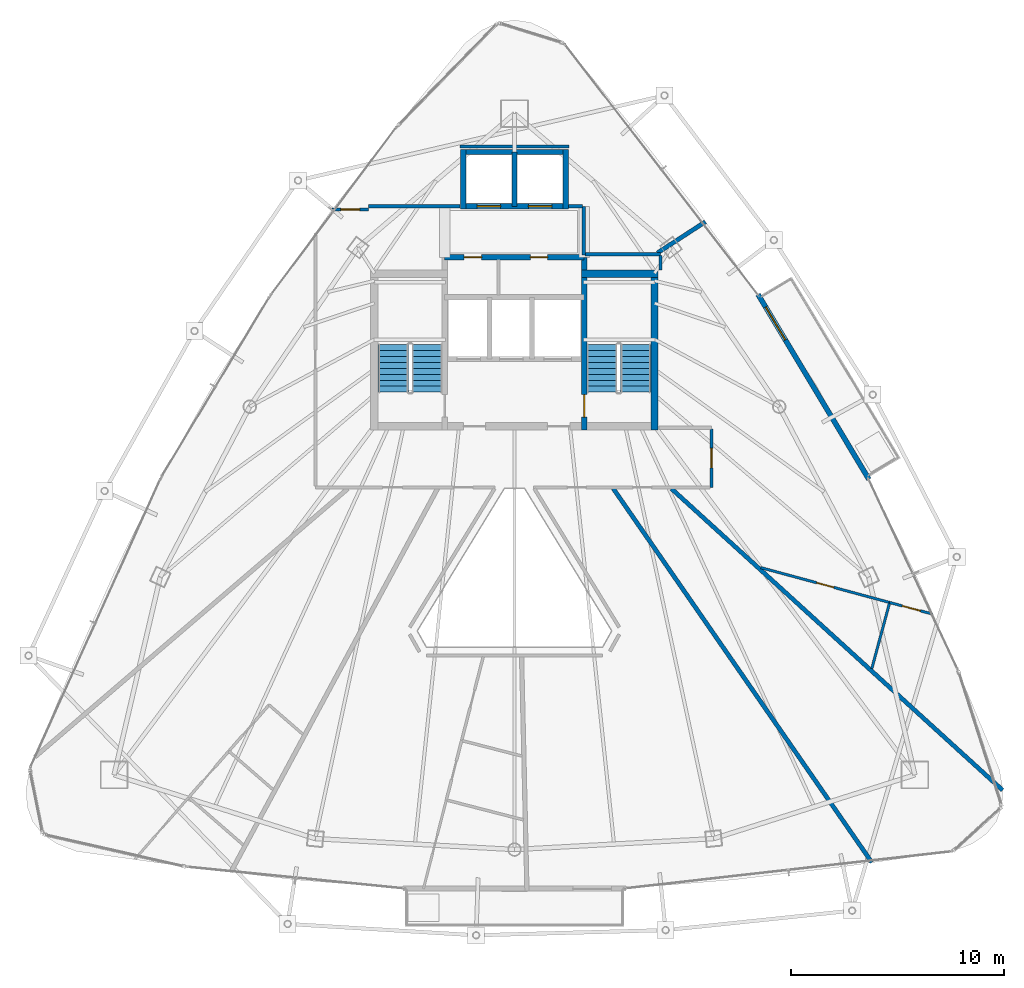
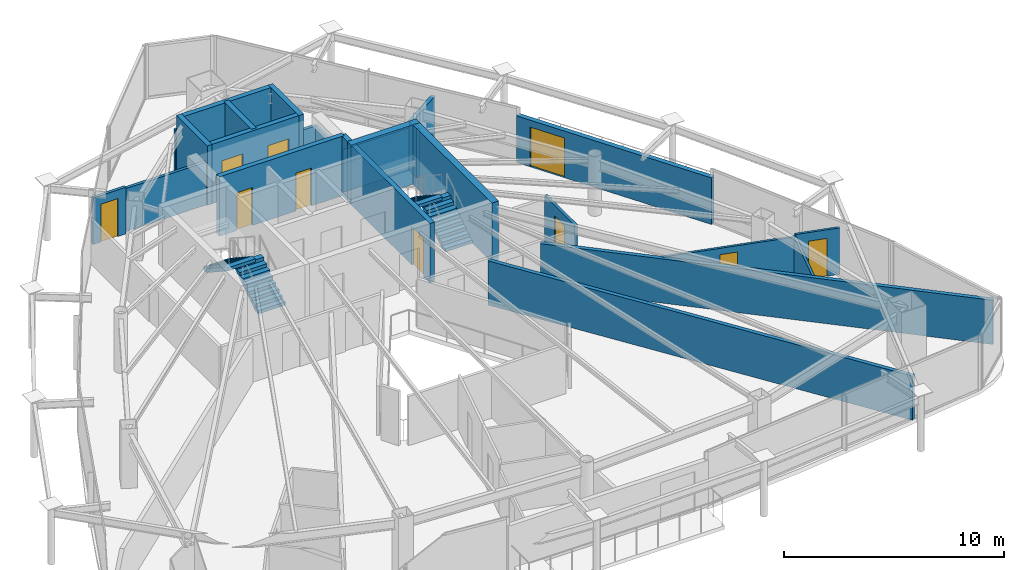
# One storey, part 27 of 30: 24 walls, 10 doors, 4 stair flights, 10 openings, 2 elements without a shape of their own.
"""IFC4 building model written with IfcOpenShell, lengths in metres."""

from ifc_helpers import new_model, si_unit, direction, frame, frame_2d, origin, place, context, subcontext, project, spatial, polyline, rectangle, outline, extrude, material, layer, layer_set, type_object, element, fill, aggregate, save


model = new_model("IFC4")

# Units and contexts
model_context = context("Model", 3, precision=1e-05, world=origin(), true_north=direction((0.0, 1.0)))
body_context = subcontext(model_context, "Body", "Model", "MODEL_VIEW")
ifc_project = project(units=[si_unit("LENGTHUNIT", "METRE"), si_unit("AREAUNIT", "SQUARE_METRE"), si_unit("VOLUMEUNIT", "CUBIC_METRE"), si_unit("PLANEANGLEUNIT", "RADIAN"), si_unit("MASSUNIT", "GRAM", prefix="KILO")], contexts=[model_context])

# Site, building, storey
site_placement = place(None, origin())
site = spatial("IfcSite", under=ifc_project, at=site_placement, CompositionType="ELEMENT")
building_placement = place(site_placement, origin())
building = spatial("IfcBuilding", under=site, at=building_placement, Name="Orvanel Arch Residences", CompositionType="ELEMENT")
storey_placement = place(building_placement, frame((0.0, 0.0, 232.699951171875)))
storey = spatial("IfcBuildingStorey", under=building, at=storey_placement, Name="L66", CompositionType="ELEMENT", Elevation=232.699951171875)

# Wall, opening, door
ifc_material_1 = material(Name="Precast concrete N50 (50 MPa)", Category="concrete")
ifc_layer_1 = layer(ifc_material_1, 0.239990234375)
ifc_layer_set_1 = layer_set([ifc_layer_1], Name="Precast concrete N50 (50 MPa)")
wall_type_1 = type_object("IfcWallType", Name="EW-BAL-240", PredefinedType="SOLIDWALL", material=ifc_layer_set_1)
wall_1_placement = place(storey_placement, frame((49.64794921875, 24.22412109375, 0.0), z_axis=(0.0, 0.0, 1.0), x_axis=(-0.514346935205, 0.857582200285, 0.0)))
wall_1 = element("IfcWall", 1, at=wall_1_placement, inside=storey, type_object=wall_type_1, Name="L66 Balcony Threshold Wall Face 3", PredefinedType="SOLIDWALL", context=body_context, shape_type="SweptSolid", body=[
    extrude(rectangle(XDim=10.133056640625, YDim=0.239990234375, at=frame_2d((5.06640625, 0.0))), origin(), (0.0, 0.0, 1.0), 2.583984375),
])
opening_1_placement = place(wall_1_placement, frame((7.635009765625, 0.0, 0.0)))
opening_1 = element("IfcOpeningElement", 2, at=opening_1_placement, cuts=wall_1, Name="Opening DB-180", PredefinedType="OPENING", context=body_context, shape_type="SweptSolid", body=[
    extrude(rectangle(XDim=1.800048828125, YDim=2.199951171875, at=frame_2d((0.89990234375, 1.10009765625))), frame((0.0, 0.1298828125, 0.0), z_axis=(0.0, -1.0, 0.0), x_axis=(1.0, 0.0, 0.0)), (0.0, 0.0, 1.0), 0.260009765625),
])
ifc_material_2 = material(Name="Bronze-anodised aluminium AA6063-T6", Category="aluminium")
door_type_1 = type_object("IfcDoorType", Name="DR-BAL-1800", OperationType="NOTDEFINED", PredefinedType="DOOR", material=ifc_material_2)
door_1_placement = place(opening_1_placement, origin())
door_1 = element("IfcDoor", 3, at=door_1_placement, inside=storey, type_object=door_type_1, Name="DR-L66-BAL-F3 L66 Planted Balcony Access Door Face 3", OperationType="SINGLE_SWING_LEFT", OverallHeight=2.199951171875, OverallWidth=1.800048828125, PredefinedType="DOOR", context=body_context, shape_type="SweptSolid", body=[
    extrude(rectangle(XDim=1.800048828125, YDim=2.199951171875, at=frame_2d((0.89990234375, 1.10009765625))), frame((0.0, 0.02490234375, 0.0), z_axis=(0.0, -1.0, 0.0), x_axis=(1.0, 0.0, 0.0)), (0.0, 0.0, 1.0), 0.050048828125),
])
fill(opening_1, door_1)

ifc_material_3 = material(Name="Concrete N50 (50 MPa)", Category="concrete")
ifc_layer_2 = layer(ifc_material_3, 0.25)
ifc_layer_set_2 = layer_set([ifc_layer_2], Name="Concrete N50 (50 MPa)")
wall_type_2 = type_object("IfcWallType", Name="SW-CORE-250", PredefinedType="SHEAR", material=ifc_layer_set_2)
wall_2_placement = place(storey_placement, frame((36.27490234375, 26.550048828125, 0.0), z_axis=(0.0, 0.0, 1.0), x_axis=(0.0, 1.0, 0.0)))
wall_2 = element("IfcWall", 4, at=wall_2_placement, inside=storey, type_object=wall_type_2, Name="L66 East Inner Core Spine Shear Wall", PredefinedType="SHEAR", context=body_context, shape_type="SweptSolid", body=[
    extrude(rectangle(XDim=8.099853515625, YDim=0.25, at=frame_2d((4.0498046875, 0.0))), origin(), (0.0, 0.0, 1.0), 3.300048828125),
])
opening_2_placement = place(wall_2_placement, frame((0.60009765625, 0.0, 0.0)))
opening_2 = element("IfcOpeningElement", 5, at=opening_2_placement, cuts=wall_2, Name="Opening DF-120", PredefinedType="OPENING", context=body_context, shape_type="SweptSolid", body=[
    extrude(rectangle(XDim=1.050048828125, YDim=2.14990234375, at=frame_2d((0.52490234375, 1.074951171875))), frame((0.0, 0.135009765625, 0.0), z_axis=(0.0, -1.0, 0.0), x_axis=(1.0, 0.0, 0.0)), (0.0, 0.0, 1.0), 0.27001953125),
])
ifc_material_4 = material(Name="Galvanised steel fire-resisting door assembly", Category="steel")
door_type_2 = type_object("IfcDoorType", Name="DR-FD120-1050", OperationType="NOTDEFINED", PredefinedType="DOOR", material=ifc_material_4)
door_2_placement = place(opening_2_placement, origin())
door_2 = element("IfcDoor", 6, at=door_2_placement, inside=storey, type_object=door_type_2, Name="DR-L66-ST2 L66 Stair 2 Fire Door", OperationType="SINGLE_SWING_RIGHT", OverallHeight=2.14990234375, OverallWidth=1.050048828125, PredefinedType="DOOR", context=body_context, shape_type="SweptSolid", body=[
    extrude(rectangle(XDim=1.050048828125, YDim=2.14990234375, at=frame_2d((0.52490234375, 1.074951171875))), frame((0.0, 0.02490234375, 0.0), z_axis=(0.0, -1.0, 0.0), x_axis=(1.0, 0.0, 0.0)), (0.0, 0.0, 1.0), 0.050048828125),
])
fill(opening_2, door_2)

# Wall, openings, doors
wall_3_placement = place(storey_placement, frame((29.72509765625, 34.64990234375, 0.0), z_axis=(0.0, 0.0, 1.0), x_axis=(1.0, 0.0, 0.0)))
wall_3 = element("IfcWall", 7, at=wall_3_placement, inside=storey, type_object=wall_type_2, Name="L66 Core Service Band North Shear Wall", PredefinedType="SHEAR", context=body_context, shape_type="SweptSolid", body=[
    extrude(rectangle(XDim=6.5498046875, YDim=0.25, at=frame_2d((3.27490234375, 0.0))), origin(), (0.0, 0.0, 1.0), 3.300048828125),
])
opening_3_placement = place(wall_3_placement, frame((0.9150390625, 0.0, 0.0)))
opening_3 = element("IfcOpeningElement", 8, at=opening_3_placement, cuts=wall_3, Name="Opening DS-082", PredefinedType="OPENING", context=body_context, shape_type="SweptSolid", body=[
    extrude(rectangle(XDim=0.820068359375, YDim=2.10009765625, at=frame_2d((0.41015625, 1.050048828125))), frame((0.0, 0.135009765625, 0.0), z_axis=(0.0, -1.0, 0.0), x_axis=(1.0, 0.0, 0.0)), (0.0, 0.0, 1.0), 0.27001953125),
])
opening_4_placement = place(wall_3_placement, frame((4.014892578125, 0.0, 0.0)))
opening_4 = element("IfcOpeningElement", 9, at=opening_4_placement, cuts=wall_3, Name="Opening DW-082", PredefinedType="OPENING", context=body_context, shape_type="SweptSolid", body=[
    extrude(rectangle(XDim=0.820068359375, YDim=2.10009765625, at=frame_2d((0.41015625, 1.050048828125))), frame((0.0, 0.135009765625, 0.0), z_axis=(0.0, -1.0, 0.0), x_axis=(1.0, 0.0, 0.0)), (0.0, 0.0, 1.0), 0.27001953125),
])
door_type_3 = type_object("IfcDoorType", Name="DR-SVC-820", OperationType="NOTDEFINED", PredefinedType="DOOR", material=ifc_material_4)
door_3_placement = place(opening_3_placement, origin())
door_3 = element("IfcDoor", 10, at=door_3_placement, inside=storey, type_object=door_type_3, Name="DR-L66-CSVC-1 L66 Floor Cleaner's Store Door", OperationType="SINGLE_SWING_LEFT", OverallHeight=2.10009765625, OverallWidth=0.820068359375, PredefinedType="DOOR", context=body_context, shape_type="SweptSolid", body=[
    extrude(rectangle(XDim=0.820068359375, YDim=2.10009765625, at=frame_2d((0.41015625, 1.050048828125))), frame((0.0, 0.02490234375, 0.0), z_axis=(0.0, -1.0, 0.0), x_axis=(1.0, 0.0, 0.0)), (0.0, 0.0, 1.0), 0.050048828125),
])
fill(opening_3, door_3)
ifc_material_5 = material(Name="Solid-core European oak veneer fire door leaf", Category="wood")
door_type_4 = type_object("IfcDoorType", Name="DR-WET-820", OperationType="NOTDEFINED", PredefinedType="DOOR", material=ifc_material_5)
door_4_placement = place(opening_4_placement, origin())
door_4 = element("IfcDoor", 11, at=door_4_placement, inside=storey, type_object=door_type_4, Name="DR-L66-CSVC-2 L66 Core Accessible WC Door", OperationType="SINGLE_SWING_LEFT", OverallHeight=2.10009765625, OverallWidth=0.820068359375, PredefinedType="DOOR", context=body_context, shape_type="SweptSolid", body=[
    extrude(rectangle(XDim=0.820068359375, YDim=2.10009765625, at=frame_2d((0.41015625, 1.050048828125))), frame((0.0, 0.02490234375, 0.0), z_axis=(0.0, -1.0, 0.0), x_axis=(1.0, 0.0, 0.0)), (0.0, 0.0, 1.0), 0.050048828125),
])
fill(opening_4, door_4)

wall_4_placement = place(storey_placement, frame((35.52490234375, 37.050048828125, 0.0), z_axis=(0.0, 0.0, 1.0), x_axis=(-1.0, 0.0, 0.0)))
wall_4 = element("IfcWall", 12, at=wall_4_placement, inside=storey, type_object=wall_type_2, Name="L66 Passenger Lift Bank Front Shear Wall", PredefinedType="SHEAR", context=body_context, shape_type="SweptSolid", body=[
    extrude(rectangle(XDim=5.0498046875, YDim=0.25, at=frame_2d((2.52490234375, 0.0))), origin(), (0.0, 0.0, 1.0), 3.300048828125),
])
opening_5_placement = place(wall_4_placement, frame((3.175048828125, 0.0, 0.0)))
opening_5 = element("IfcOpeningElement", 13, at=opening_5_placement, cuts=wall_4, Name="Opening LD-110", PredefinedType="OPENING", context=body_context, shape_type="SweptSolid", body=[
    extrude(rectangle(XDim=1.10009765625, YDim=2.199951171875, at=frame_2d((0.550048828125, 1.10009765625))), frame((0.0, 0.135009765625, 0.0), z_axis=(0.0, -1.0, 0.0), x_axis=(1.0, 0.0, 0.0)), (0.0, 0.0, 1.0), 0.27001953125),
])
opening_6_placement = place(wall_4_placement, frame((0.77490234375, 0.0, 0.0)))
opening_6 = element("IfcOpeningElement", 14, at=opening_6_placement, cuts=wall_4, Name="Opening LD-110", PredefinedType="OPENING", context=body_context, shape_type="SweptSolid", body=[
    extrude(rectangle(XDim=1.10009765625, YDim=2.199951171875, at=frame_2d((0.550048828125, 1.10009765625))), frame((0.0, 0.135009765625, 0.0), z_axis=(0.0, -1.0, 0.0), x_axis=(1.0, 0.0, 0.0)), (0.0, 0.0, 1.0), 0.27001953125),
])
door_type_5 = type_object("IfcDoorType", Name="DR-LFT-1100", OperationType="NOTDEFINED", PredefinedType="DOOR", material=ifc_material_4)
door_5_placement = place(opening_5_placement, origin())
door_5 = element("IfcDoor", 15, at=door_5_placement, inside=storey, type_object=door_type_5, Name="LD-P5-L66 L66 Passenger Lift P5 Sliding Landing Door", OperationType="DOUBLE_DOOR_SLIDING", OverallHeight=2.199951171875, OverallWidth=1.10009765625, PredefinedType="DOOR", context=body_context, shape_type="SweptSolid", body=[
    extrude(rectangle(XDim=1.10009765625, YDim=2.199951171875, at=frame_2d((0.550048828125, 1.10009765625))), frame((0.0, 0.02490234375, 0.0), z_axis=(0.0, -1.0, 0.0), x_axis=(1.0, 0.0, 0.0)), (0.0, 0.0, 1.0), 0.050048828125),
])
fill(opening_5, door_5)
door_6_placement = place(opening_6_placement, origin())
door_6 = element("IfcDoor", 16, at=door_6_placement, inside=storey, type_object=door_type_5, Name="LD-P6-L66 L66 Passenger Lift P6 Sliding Landing Door", OperationType="DOUBLE_DOOR_SLIDING", OverallHeight=2.199951171875, OverallWidth=1.10009765625, PredefinedType="DOOR", context=body_context, shape_type="SweptSolid", body=[
    extrude(rectangle(XDim=1.10009765625, YDim=2.199951171875, at=frame_2d((0.550048828125, 1.10009765625))), frame((0.0, 0.02490234375, 0.0), z_axis=(0.0, -1.0, 0.0), x_axis=(1.0, 0.0, 0.0)), (0.0, 0.0, 1.0), 0.050048828125),
])
fill(opening_6, door_6)

# Walls
wall_5_placement = place(storey_placement, frame((30.47509765625, 39.60009765625, 0.0), z_axis=(0.0, 0.0, 1.0), x_axis=(1.0, 0.0, 0.0)))
element("IfcWall", 17, at=wall_5_placement, inside=storey, type_object=wall_type_2, Name="L66 Passenger Lift Bank North Shear Wall", PredefinedType="SHEAR", context=body_context, shape_type="SweptSolid", body=[
    extrude(rectangle(XDim=5.0498046875, YDim=0.25, at=frame_2d((2.52490234375, 0.0))), origin(), (0.0, 0.0, 1.0), 3.300048828125),
])
for number, where, z_axis, x_axis, name in (
    (18, (30.60009765625, 36.925048828125, 0.0), (0.0, 0.0, 1.0), (0.0, 1.0, 0.0), "L66 Passenger Lift Bank West Shear Wall"),
    (19, (35.39990234375, 36.925048828125, 0.0), (0.0, 0.0, 1.0), (0.0, 1.0, 0.0), "L66 Passenger Lift Bank East Shear Wall"),
):
    element("IfcWall", number, at=place(storey_placement, frame(where, z_axis=z_axis, x_axis=x_axis)), inside=storey, type_object=wall_type_2, Name=name, PredefinedType="SHEAR", context=body_context, shape_type="SweptSolid", body=[
        extrude(rectangle(XDim=2.800048828125, YDim=0.25, at=frame_2d((1.39990234375, 0.0))), origin(), (0.0, 0.0, 1.0), 3.300048828125),
    ])
wall_6_placement = place(storey_placement, frame((33.0, 37.050048828125, 0.0), z_axis=(0.0, 0.0, 1.0), x_axis=(0.0, 1.0, 0.0)))
element("IfcWall", 20, at=wall_6_placement, inside=storey, type_object=wall_type_2, Name="L66 Passenger Lift Inter-Shaft Wall P56", PredefinedType="SHEAR", context=body_context, shape_type="SweptSolid", body=[
    extrude(rectangle(XDim=2.550048828125, YDim=0.25, at=frame_2d((1.27490234375, 0.0))), origin(), (0.0, 0.0, 1.0), 3.300048828125),
])
ifc_layer_3 = layer(ifc_material_3, 0.35009765625)
ifc_layer_set_3 = layer_set([ifc_layer_3], Name="Concrete N50 (50 MPa)")
wall_type_3 = type_object("IfcWallType", Name="SW-CORE-350", PredefinedType="SHEAR", material=ifc_layer_set_3)
wall_7_placement = place(storey_placement, frame((39.574951171875, 26.550048828125, 0.0), z_axis=(0.0, 0.0, 1.0), x_axis=(0.0, 1.0, 0.0)))
element("IfcWall", 21, at=wall_7_placement, inside=storey, type_object=wall_type_3, Name="L66 East Stair Shear Wall", PredefinedType="SHEAR", context=body_context, shape_type="SweptSolid", body=[
    extrude(rectangle(XDim=7.5, YDim=0.35009765625, at=frame_2d((3.75, 0.0))), origin(), (0.0, 0.0, 1.0), 3.300048828125),
])
wall_8_placement = place(storey_placement, frame((36.14990234375, 33.875, 0.0), z_axis=(0.0, 0.0, 1.0), x_axis=(1.0, 0.0, 0.0)))
element("IfcWall", 22, at=wall_8_placement, inside=storey, type_object=wall_type_3, Name="L66 East Stair North Shear Wall", PredefinedType="SHEAR", context=body_context, shape_type="SweptSolid", body=[
    extrude(rectangle(XDim=3.60009765625, YDim=0.35009765625, at=frame_2d((1.800048828125, 0.0))), origin(), (0.0, 0.0, 1.0), 3.300048828125),
])
ifc_material_6 = material(Name="Fire-rated plasterboard lined steel stud partition", Category="steel")
ifc_layer_4 = layer(ifc_material_6, 0.14990234375)
ifc_layer_set_4 = layer_set([ifc_layer_4], Name="Fire-rated plasterboard lined steel stud partition")
wall_type_4 = type_object("IfcWallType", Name="W-COR-150", PredefinedType="PARTITIONING", material=ifc_layer_set_4)
wall_9_placement = place(storey_placement, frame((36.25, 34.760009765625, 0.0), z_axis=(0.0, 0.0, 1.0), x_axis=(0.0, 1.0, 0.0)))
element("IfcWall", 23, at=wall_9_placement, inside=storey, type_object=wall_type_4, Name="L66 Passenger Lift Lobby East Closure Wall", PredefinedType="PARTITIONING", context=body_context, shape_type="SweptSolid", body=[
    extrude(rectangle(XDim=2.2900390625, YDim=0.14990234375, at=frame_2d((1.14501953125, 0.0))), origin(), (0.0, 0.0, 1.0), 2.385009765625),
])
wall_10_placement = place(storey_placement, frame((35.52490234375, 37.050048828125, 0.0), z_axis=(0.0, 0.0, 1.0), x_axis=(1.0, 0.0, 0.0)))
element("IfcWall", 24, at=wall_10_placement, inside=storey, type_object=wall_type_4, Name="L66 Passenger Lift Lobby North-East Wall", PredefinedType="PARTITIONING", context=body_context, shape_type="SweptSolid", body=[
    extrude(rectangle(XDim=0.6650390625, YDim=0.14990234375, at=frame_2d((0.33251953125, 0.0))), origin(), (0.0, 0.0, 1.0), 2.385009765625),
])

# Wall, opening, door
wall_11_placement = place(storey_placement, frame((24.427001953125, 36.89990234375, 0.0), z_axis=(0.0, 0.0, 1.0), x_axis=(1.0, 0.0, 0.0)))
wall_11 = element("IfcWall", 25, at=wall_11_placement, inside=storey, type_object=wall_type_4, Name="L66 Corridor Fire-Rated Partition", PredefinedType="PARTITIONING", context=body_context, shape_type="SweptSolid", body=[
    extrude(rectangle(XDim=1.722900390625, YDim=0.14990234375, at=frame_2d((0.861328125, 0.0))), origin(), (0.0, 0.0, 1.0), 2.5791015625),
])
opening_7_placement = place(wall_11_placement, frame((0.4208984375, 0.0, 0.0)))
opening_7 = element("IfcOpeningElement", 26, at=opening_7_placement, cuts=wall_11, Name="Opening DI-088", PredefinedType="OPENING", context=body_context, shape_type="SweptSolid", body=[
    extrude(rectangle(XDim=0.8798828125, YDim=2.10009765625, at=frame_2d((0.43994140625, 1.050048828125))), frame((0.0, 0.0849609375, 0.0), z_axis=(0.0, -1.0, 0.0), x_axis=(1.0, 0.0, 0.0)), (0.0, 0.0, 1.0), 0.169921875),
])
door_type_6 = type_object("IfcDoorType", Name="DR-INT-880", OperationType="NOTDEFINED", PredefinedType="DOOR", material=ifc_material_5)
door_7_placement = place(opening_7_placement, origin())
door_7 = element("IfcDoor", 27, at=door_7_placement, inside=storey, type_object=door_type_6, Name="DR-L66-SHRD-FB7 L66 Co-Working Study Office G Door", OperationType="SINGLE_SWING_LEFT", OverallHeight=2.10009765625, OverallWidth=0.8798828125, PredefinedType="DOOR", context=body_context, shape_type="SweptSolid", body=[
    extrude(rectangle(XDim=0.8798828125, YDim=2.10009765625, at=frame_2d((0.43994140625, 1.050048828125))), frame((0.0, 0.02490234375, 0.0), z_axis=(0.0, -1.0, 0.0), x_axis=(1.0, 0.0, 0.0)), (0.0, 0.0, 1.0), 0.050048828125),
])
fill(opening_7, door_7)

wall_12_placement = place(storey_placement, frame((42.25, 26.590087890625, 0.0), z_axis=(0.0, 0.0, 1.0), x_axis=(0.0, -1.0, 0.0)))
wall_12 = element("IfcWall", 28, at=wall_12_placement, inside=storey, type_object=wall_type_4, Name="L66 Corridor Fire-Rated Partition", PredefinedType="PARTITIONING", context=body_context, shape_type="SweptSolid", body=[
    extrude(rectangle(XDim=2.739990234375, YDim=0.14990234375, at=frame_2d((1.3701171875, 0.0))), origin(), (0.0, 0.0, 1.0), 2.733154296875),
])
opening_8_placement = place(wall_12_placement, frame((0.909912109375, 0.0, 0.0)))
opening_8 = element("IfcOpeningElement", 29, at=opening_8_placement, cuts=wall_12, Name="Opening DA-092", PredefinedType="OPENING", context=body_context, shape_type="SweptSolid", body=[
    extrude(rectangle(XDim=0.919921875, YDim=2.14990234375, at=frame_2d((0.4599609375, 1.074951171875))), frame((0.0, 0.0849609375, 0.0), z_axis=(0.0, -1.0, 0.0), x_axis=(1.0, 0.0, 0.0)), (0.0, 0.0, 1.0), 0.169921875),
])
door_type_7 = type_object("IfcDoorType", Name="DR-APT-920", OperationType="NOTDEFINED", PredefinedType="DOOR", material=ifc_material_5)
door_8_placement = place(opening_8_placement, origin())
door_8 = element("IfcDoor", 30, at=door_8_placement, inside=storey, type_object=door_type_7, Name="DR-L66-C-ENT L66 Studio C Entrance Door", OperationType="SINGLE_SWING_RIGHT", OverallHeight=2.14990234375, OverallWidth=0.919921875, PredefinedType="DOOR", context=body_context, shape_type="SweptSolid", body=[
    extrude(rectangle(XDim=0.919921875, YDim=2.14990234375, at=frame_2d((0.4599609375, 1.074951171875))), frame((0.0, 0.02490234375, 0.0), z_axis=(0.0, -1.0, 0.0), x_axis=(1.0, 0.0, 0.0)), (0.0, 0.0, 1.0), 0.050048828125),
])
fill(opening_8, door_8)

# Walls
wall_13_placement = place(storey_placement, frame((26.14990234375, 37.050048828125, 0.0), z_axis=(0.0, 0.0, 1.0), x_axis=(1.0, 0.0, 0.0)))
element("IfcWall", 31, at=wall_13_placement, inside=storey, type_object=wall_type_4, Name="L66 Core Perimeter Partition", PredefinedType="PARTITIONING", context=body_context, shape_type="SweptSolid", body=[
    extrude(rectangle(XDim=4.300048828125, YDim=0.14990234375, at=frame_2d((2.14990234375, 0.0))), origin(), (0.0, 0.0, 1.0), 2.385009765625),
])
wall_14_placement = place(storey_placement, frame((30.449951171875, 39.85009765625, 0.0), z_axis=(0.0, 0.0, 1.0), x_axis=(1.0, 0.0, 0.0)))
element("IfcWall", 32, at=wall_14_placement, inside=storey, type_object=wall_type_4, Name="L66 Core Perimeter Partition", PredefinedType="PARTITIONING", context=body_context, shape_type="SweptSolid", body=[
    extrude(rectangle(XDim=5.10009765625, YDim=0.14990234375, at=frame_2d((2.550048828125, 0.0))), origin(), (0.0, 0.0, 1.0), 2.4521484375),
])
wall_15_placement = place(storey_placement, frame((36.31005859375, 34.800048828125, 0.0), z_axis=(0.0, 0.0, 1.0), x_axis=(1.0, 0.0, 0.0)))
element("IfcWall", 33, at=wall_15_placement, inside=storey, type_object=wall_type_4, Name="L66 Core Perimeter Partition", PredefinedType="PARTITIONING", context=body_context, shape_type="SweptSolid", body=[
    extrude(rectangle(XDim=3.5400390625, YDim=0.14990234375, at=frame_2d((1.77001953125, 0.0))), origin(), (0.0, 0.0, 1.0), 2.385009765625),
])
wall_16_placement = place(storey_placement, frame((39.85009765625, 34.739990234375, 0.0), z_axis=(0.0, 0.0, 1.0), x_axis=(0.0, -1.0, 0.0)))
element("IfcWall", 34, at=wall_16_placement, inside=storey, type_object=wall_type_4, Name="L66 Core Perimeter Partition", PredefinedType="PARTITIONING", context=body_context, shape_type="SweptSolid", body=[
    extrude(rectangle(XDim=0.68994140625, YDim=0.14990234375, at=frame_2d((0.344970703125, 0.0))), origin(), (0.0, 0.0, 1.0), 2.733154296875),
])
ifc_layer_5 = layer(ifc_material_6, 0.199951171875)
ifc_layer_set_5 = layer_set([ifc_layer_5], Name="Fire-rated plasterboard lined steel stud partition")
wall_type_5 = type_object("IfcWallType", Name="W-DEM-200", PredefinedType="PARTITIONING", material=ifc_layer_set_5)
wall_17_placement = place(storey_placement, frame((37.64111328125, 23.7900390625, 0.0), z_axis=(0.0, 0.0, 1.0), x_axis=(0.568876812748, -0.822422745258, 0.0)))
element("IfcWall", 35, at=wall_17_placement, inside=storey, type_object=wall_type_5, Name="L66 Inter-Tenancy Acoustic Demising Wall", PredefinedType="PARTITIONING", context=body_context, shape_type="SweptSolid", body=[
    extrude(rectangle(XDim=21.341796875, YDim=0.199951171875, at=frame_2d((10.6708984375, 0.0))), origin(), (0.0, 0.0, 1.0), 2.4521484375),
])
wall_18_placement = place(storey_placement, frame((55.9189453125, 9.631103515625, 0.0), z_axis=(0.0, 0.0, 1.0), x_axis=(-0.739406671307, 0.673259069324, 0.0)))
element("IfcWall", 36, at=wall_18_placement, inside=storey, type_object=wall_type_5, Name="L66 Inter-Tenancy Acoustic Demising Wall", PredefinedType="PARTITIONING", context=body_context, shape_type="SweptSolid", body=[
    extrude(rectangle(XDim=21.030517578125, YDim=0.199951171875, at=frame_2d((10.51513671875, 0.0))), origin(), (0.0, 0.0, 1.0), 2.4521484375),
])
wall_19_placement = place(storey_placement, frame((39.714111328125, 34.860107421875, 0.0), z_axis=(0.0, 0.0, 1.0), x_axis=(0.838740992226, 0.54453057578, 0.0)))
element("IfcWall", 37, at=wall_19_placement, inside=storey, type_object=wall_type_5, Name="L66 Inter-Tenancy Acoustic Demising Wall", PredefinedType="PARTITIONING", context=body_context, shape_type="SweptSolid", body=[
    extrude(rectangle(XDim=2.68115234375, YDim=0.199951171875, at=frame_2d((1.340576171875, 0.0))), origin(), (0.0, 0.0, 1.0), 2.4521484375),
])

# Wall, opening, door
ifc_material_7 = material(Name="Acoustic plasterboard lined twin-stud partition", Category="gypsum")
ifc_layer_6 = layer(ifc_material_7, 0.1201171875)
ifc_layer_set_6 = layer_set([ifc_layer_6], Name="Acoustic plasterboard lined twin-stud partition")
wall_type_6 = type_object("IfcWallType", Name="W-WET-120", PredefinedType="PARTITIONING", material=ifc_layer_set_6)
wall_20_placement = place(storey_placement, frame((50.617919921875, 18.444091796875, 0.0), z_axis=(0.0, 0.0, 1.0), x_axis=(-0.96530580675, 0.261122001091, 0.0)))
wall_20 = element("IfcWall", 38, at=wall_20_placement, inside=storey, type_object=wall_type_6, Name="L66 Studio C Bathroom Partition", PredefinedType="PARTITIONING", context=body_context, shape_type="SweptSolid", body=[
    extrude(rectangle(XDim=6.26513671875, YDim=0.1201171875, at=frame_2d((3.132568359375, 0.0))), origin(), (0.0, 0.0, 1.0), 2.4521484375),
])
opening_9_placement = place(wall_20_placement, frame((2.722900390625, 0.0, 0.0)))
opening_9 = element("IfcOpeningElement", 39, at=opening_9_placement, cuts=wall_20, Name="Opening DW-082", PredefinedType="OPENING", context=body_context, shape_type="SweptSolid", body=[
    extrude(rectangle(XDim=0.820068359375, YDim=2.10009765625, at=frame_2d((0.41015625, 1.050048828125))), frame((0.0, 0.070068359375, 0.0), z_axis=(0.0, -1.0, 0.0), x_axis=(1.0, 0.0, 0.0)), (0.0, 0.0, 1.0), 0.14013671875),
])
door_9_placement = place(opening_9_placement, origin())
door_9 = element("IfcDoor", 40, at=door_9_placement, inside=storey, type_object=door_type_4, Name="DR-L66-C-BATH L66 Studio C Bathroom Door", OperationType="SINGLE_SWING_RIGHT", OverallHeight=2.10009765625, OverallWidth=0.820068359375, PredefinedType="DOOR", context=body_context, shape_type="SweptSolid", body=[
    extrude(rectangle(XDim=0.820068359375, YDim=2.10009765625, at=frame_2d((0.41015625, 1.050048828125))), frame((0.0, 0.02490234375, 0.0), z_axis=(0.0, -1.0, 0.0), x_axis=(1.0, 0.0, 0.0)), (0.0, 0.0, 1.0), 0.050048828125),
])
fill(opening_9, door_9)

wall_21_placement = place(storey_placement, frame((52.65087890625, 17.89501953125, 0.0), z_axis=(0.0, 0.0, 1.0), x_axis=(-0.96540836449, 0.260742573765, 0.0)))
wall_21 = element("IfcWall", 41, at=wall_21_placement, inside=storey, type_object=wall_type_6, Name="L66 Studio C Internal Partition", PredefinedType="PARTITIONING", context=body_context, shape_type="SweptSolid", body=[
    extrude(rectangle(XDim=2.105712890625, YDim=0.1201171875, at=frame_2d((1.052734375, 0.0))), origin(), (0.0, 0.0, 1.0), 2.5791015625),
])
opening_10_placement = place(wall_21_placement, frame((0.613037109375, 0.0, 0.0)))
opening_10 = element("IfcOpeningElement", 42, at=opening_10_placement, cuts=wall_21, Name="Opening DI-088", PredefinedType="OPENING", context=body_context, shape_type="SweptSolid", body=[
    extrude(rectangle(XDim=0.8798828125, YDim=2.10009765625, at=frame_2d((0.43994140625, 1.050048828125))), frame((0.0, 0.070068359375, 0.0), z_axis=(0.0, -1.0, 0.0), x_axis=(1.0, 0.0, 0.0)), (0.0, 0.0, 1.0), 0.14013671875),
])
door_10_placement = place(opening_10_placement, origin())
door_10 = element("IfcDoor", 43, at=door_10_placement, inside=storey, type_object=door_type_6, Name="DR-L66-C-KIT L66 Studio C Kitchenette Door", OperationType="SINGLE_SWING_LEFT", OverallHeight=2.10009765625, OverallWidth=0.8798828125, PredefinedType="DOOR", context=body_context, shape_type="SweptSolid", body=[
    extrude(rectangle(XDim=0.8798828125, YDim=2.10009765625, at=frame_2d((0.43994140625, 1.050048828125))), frame((0.0, 0.02490234375, 0.0), z_axis=(0.0, -1.0, 0.0), x_axis=(1.0, 0.0, 0.0)), (0.0, 0.0, 1.0), 0.050048828125),
])
fill(opening_10, door_10)

# Wall
wall_22_placement = place(storey_placement, frame((50.617919921875, 18.444091796875, 0.0), z_axis=(0.0, 0.0, 1.0), x_axis=(-0.260928129887, -0.965358229381, 0.0)))
element("IfcWall", 44, at=wall_22_placement, inside=storey, type_object=wall_type_6, Name="L66 Studio C Bathroom Partition", PredefinedType="PARTITIONING", context=body_context, shape_type="SweptSolid", body=[
    extrude(rectangle(XDim=3.21875, YDim=0.1201171875, at=frame_2d((1.609375, 0.0))), origin(), (0.0, 0.0, 1.0), 2.4521484375),
])

# Stair, stair flights
stair_type = type_object("IfcStairType", Name="STR-DOG-184", PredefinedType="USERDEFINED", material=ifc_material_1)
stair_1_placement = place(storey_placement, origin())
stair_1 = element("IfcStair", 45, at=stair_1_placement, inside=storey, type_object=stair_type, Name="L66 Fire-Isolated Core Exit Stair 1", ObjectType="TWO_RETURN_STAIR", PredefinedType="USERDEFINED")
stair_flight_type_1 = type_object("IfcStairFlightType", Name="SFL-C1-184", PredefinedType="STRAIGHT", material=ifc_material_1)
stair_flight_1_placement = place(storey_placement, frame((28.889892578125, 28.320068359375, 0.0), z_axis=(0.0, 0.0, 1.0), x_axis=(0.0, 1.0, 0.0)))
stair_flight_1 = element("IfcStairFlight", 46, at=stair_flight_1_placement, type_object=stair_flight_type_1, Name="ST-1 flight 1", NumberOfRisers=9, NumberOfTreads=8, PredefinedType="STRAIGHT", RiserHeight=0.183333333, TreadLength=0.28, context=body_context, shape_type="SweptSolid", body=[
    extrude(outline(polyline([(0.0, 0.0), (0.0, 0.183349609375), (0.280029296875, 0.183349609375), (0.280029296875, 0.36669921875), (0.56005859375, 0.36669921875), (0.56005859375, 0.550048828125), (0.840087890625, 0.550048828125), (0.840087890625, 0.7333984375), (1.1201171875, 0.7333984375), (1.1201171875, 0.916748046875), (1.39990234375, 0.916748046875), (1.39990234375, 1.10009765625), (1.679931640625, 1.10009765625), (1.679931640625, 1.283447265625), (1.9599609375, 1.283447265625), (1.9599609375, 1.466552734375), (2.239990234375, 1.466552734375), (2.239990234375, 1.64990234375), (2.239990234375, 1.28759765625), (0.273681640625, 0.0), (0.0, 0.0)])), frame((0.0, 0.7099609375, 0.0), z_axis=(0.0, -1.0, 0.0), x_axis=(1.0, 0.0, 0.0)), (0.0, 0.0, 1.0), 1.419921875),
])
stair_flight_2_placement = place(storey_placement, frame((27.31005859375, 30.56005859375, 1.650146484375), z_axis=(0.0, 0.0, 1.0), x_axis=(0.0, -1.0, 0.0)))
stair_flight_2 = element("IfcStairFlight", 47, at=stair_flight_2_placement, type_object=stair_flight_type_1, Name="ST-1 flight 2", NumberOfRisers=9, NumberOfTreads=8, PredefinedType="STRAIGHT", RiserHeight=0.183333333, TreadLength=0.28, context=body_context, shape_type="SweptSolid", body=[
    extrude(outline(polyline([(0.0, 0.0), (0.0, 0.183349609375), (0.280029296875, 0.183349609375), (0.280029296875, 0.36669921875), (0.56005859375, 0.36669921875), (0.56005859375, 0.550048828125), (0.840087890625, 0.550048828125), (0.840087890625, 0.7333984375), (1.1201171875, 0.7333984375), (1.1201171875, 0.916748046875), (1.39990234375, 0.916748046875), (1.39990234375, 1.10009765625), (1.679931640625, 1.10009765625), (1.679931640625, 1.283447265625), (1.9599609375, 1.283447265625), (1.9599609375, 1.466552734375), (2.239990234375, 1.466552734375), (2.239990234375, 1.64990234375), (2.239990234375, 1.28759765625), (0.273681640625, 0.0), (0.0, 0.0)])), frame((0.0, 0.7099609375, 0.0), z_axis=(0.0, -1.0, 0.0), x_axis=(1.0, 0.0, 0.0)), (0.0, 0.0, 1.0), 1.419921875),
])
aggregate(stair_1, [stair_flight_1, stair_flight_2])

stair_2_placement = place(storey_placement, origin())
stair_2 = element("IfcStair", 48, at=stair_2_placement, inside=storey, type_object=stair_type, Name="L66 Fire-Isolated Core Exit Stair 2", ObjectType="TWO_RETURN_STAIR", PredefinedType="USERDEFINED")
stair_flight_type_2 = type_object("IfcStairFlightType", Name="SFL-C2-184", PredefinedType="STRAIGHT", material=ifc_material_1)
stair_flight_3_placement = place(storey_placement, frame((38.68994140625, 28.320068359375, 0.0), z_axis=(0.0, 0.0, 1.0), x_axis=(0.0, 1.0, 0.0)))
stair_flight_3 = element("IfcStairFlight", 49, at=stair_flight_3_placement, type_object=stair_flight_type_2, Name="ST-2 flight 1", NumberOfRisers=9, NumberOfTreads=8, PredefinedType="STRAIGHT", RiserHeight=0.183333333, TreadLength=0.28, context=body_context, shape_type="SweptSolid", body=[
    extrude(outline(polyline([(0.0, 0.0), (0.0, 0.183349609375), (0.280029296875, 0.183349609375), (0.280029296875, 0.36669921875), (0.56005859375, 0.36669921875), (0.56005859375, 0.550048828125), (0.840087890625, 0.550048828125), (0.840087890625, 0.7333984375), (1.1201171875, 0.7333984375), (1.1201171875, 0.916748046875), (1.39990234375, 0.916748046875), (1.39990234375, 1.10009765625), (1.679931640625, 1.10009765625), (1.679931640625, 1.283447265625), (1.9599609375, 1.283447265625), (1.9599609375, 1.466552734375), (2.239990234375, 1.466552734375), (2.239990234375, 1.64990234375), (2.239990234375, 1.28759765625), (0.273681640625, 0.0), (0.0, 0.0)])), frame((0.0, 0.7099609375, 0.0), z_axis=(0.0, -1.0, 0.0), x_axis=(1.0, 0.0, 0.0)), (0.0, 0.0, 1.0), 1.419921875),
])
stair_flight_4_placement = place(storey_placement, frame((37.110107421875, 30.56005859375, 1.650146484375), z_axis=(0.0, 0.0, 1.0), x_axis=(0.0, -1.0, 0.0)))
stair_flight_4 = element("IfcStairFlight", 50, at=stair_flight_4_placement, type_object=stair_flight_type_2, Name="ST-2 flight 2", NumberOfRisers=9, NumberOfTreads=8, PredefinedType="STRAIGHT", RiserHeight=0.183333333, TreadLength=0.28, context=body_context, shape_type="SweptSolid", body=[
    extrude(outline(polyline([(0.0, 0.0), (0.0, 0.183349609375), (0.280029296875, 0.183349609375), (0.280029296875, 0.36669921875), (0.56005859375, 0.36669921875), (0.56005859375, 0.550048828125), (0.840087890625, 0.550048828125), (0.840087890625, 0.7333984375), (1.1201171875, 0.7333984375), (1.1201171875, 0.916748046875), (1.39990234375, 0.916748046875), (1.39990234375, 1.10009765625), (1.679931640625, 1.10009765625), (1.679931640625, 1.283447265625), (1.9599609375, 1.283447265625), (1.9599609375, 1.466552734375), (2.239990234375, 1.466552734375), (2.239990234375, 1.64990234375), (2.239990234375, 1.28759765625), (0.273681640625, 0.0), (0.0, 0.0)])), frame((0.0, 0.7099609375, 0.0), z_axis=(0.0, -1.0, 0.0), x_axis=(1.0, 0.0, 0.0)), (0.0, 0.0, 1.0), 1.419921875),
])
aggregate(stair_2, [stair_flight_3, stair_flight_4])

save(model, "model.ifc")
